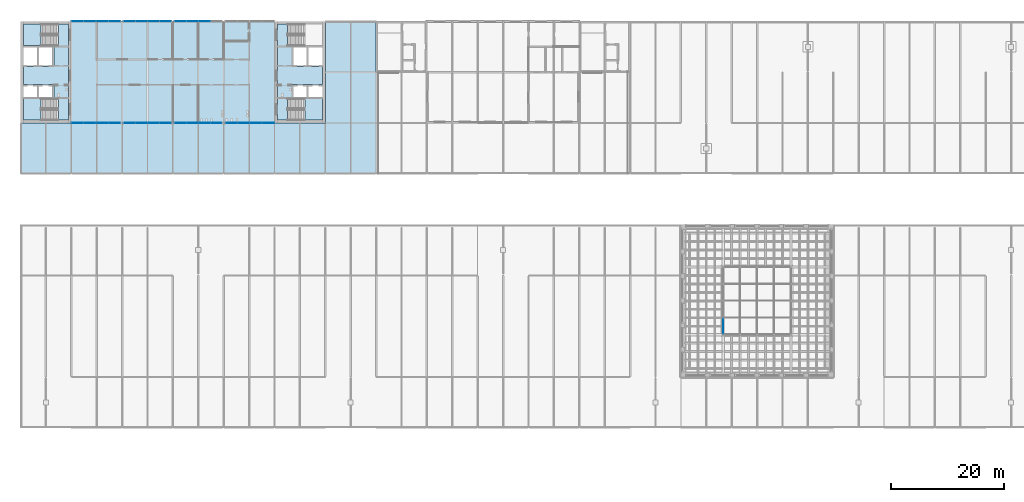
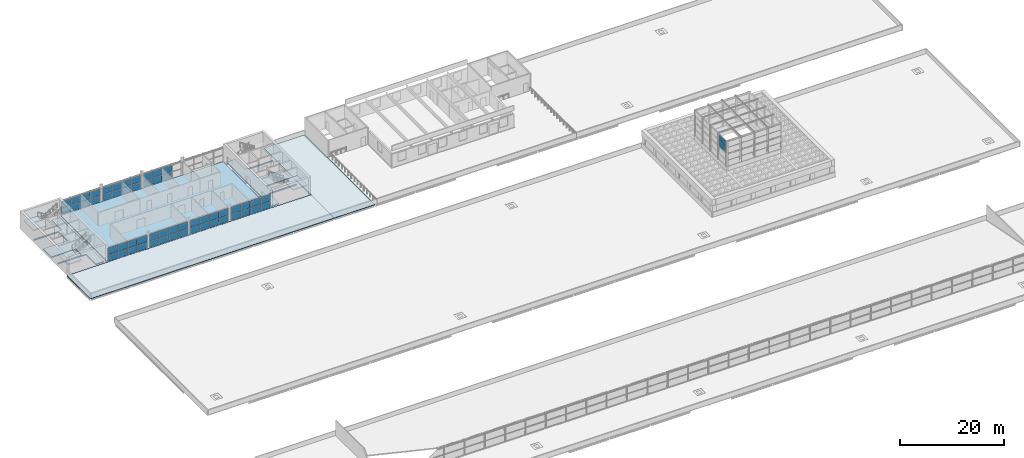
# One storey, part 39 of 50: 56 plates, 8 slabs, 11 elements without a shape of their own.
"""IFC4 building model written with IfcOpenShell, lengths in metres."""

from ifc_helpers import new_model, si_unit, direction, frame, origin, origin_2d, place, context, subcontext, project, spatial, polyline, rectangle, outline, extrude, material, layer, layer_set, type_object, element, aggregate, save


model = new_model("IFC4")

# Units and contexts
model_context = context("Model", 3, precision=1e-05, world=origin(), true_north=direction((0.0, 1.0)))
body_context = subcontext(model_context, "Body", "Model", "MODEL_VIEW")
ifc_project = project(units=[si_unit("LENGTHUNIT", "METRE"), si_unit("AREAUNIT", "SQUARE_METRE"), si_unit("VOLUMEUNIT", "CUBIC_METRE"), si_unit("PLANEANGLEUNIT", "RADIAN"), si_unit("MASSUNIT", "GRAM", prefix="KILO")], contexts=[model_context])

# Site, building, storey
site_placement = place(None, origin())
site = spatial("IfcSite", under=ifc_project, at=site_placement, CompositionType="ELEMENT")
building_placement = place(site_placement, origin())
building = spatial("IfcBuilding", under=site, at=building_placement, Name="Corbel Yard City Hall", CompositionType="ELEMENT")
storey_placement = place(building_placement, frame((0.0, 0.0, 15.0)))
storey = spatial("IfcBuildingStorey", under=building, at=storey_placement, Name="L03", CompositionType="ELEMENT", Elevation=15.0)

# Slabs
ifc_material_1 = material(Name="Concrete N40 (40 MPa)", Category="concrete")
ifc_layer_1 = layer(ifc_material_1, 0.25)
ifc_layer_set_1 = layer_set([ifc_layer_1], Name="Concrete N40 (40 MPa)")
slab_type_1 = type_object("IfcSlabType", Name="CF1", PredefinedType="FLOOR", material=ifc_layer_set_1)
slab_1_placement = place(storey_placement, frame((0.0, 0.0, -0.25)))
element("IfcSlab", 1, at=slab_1_placement, inside=storey, type_object=slab_type_1, Name="Core floor slab", PredefinedType="FLOOR", context=body_context, shape_type="SweptSolid", body=[
    extrude(outline(polyline([(8.5, 116.5), (6.698974609375, 116.5), (6.698974609375, 112.699951171875), (0.5, 112.699951171875), (0.5, 112.449951171875), (5.89990234375, 112.449951171875), (5.89990234375, 109.0), (0.5, 109.0), (0.5, 105.800048828125), (5.89990234375, 105.800048828125), (5.89990234375, 103.550048828125), (0.5, 103.550048828125), (0.5, 103.300048828125), (6.698974609375, 103.300048828125), (6.698974609375, 99.5), (8.5, 99.5), (8.5, 116.5)])), origin(), (0.0, 0.0, 1.0), 0.25),
])
slab_2_placement = place(storey_placement, frame((0.0, 0.0, -0.25)))
element("IfcSlab", 2, at=slab_2_placement, inside=storey, type_object=slab_type_1, Name="Core floor slab", PredefinedType="FLOOR", context=body_context, shape_type="SweptSolid", body=[
    extrude(outline(polyline([(53.5, 103.300048828125), (53.5, 103.550048828125), (48.10009765625, 103.550048828125), (48.10009765625, 105.800048828125), (53.5, 105.800048828125), (53.5, 109.0), (48.10009765625, 109.0), (48.10009765625, 112.449951171875), (53.5, 112.449951171875), (53.5, 112.699951171875), (47.301025390625, 112.699951171875), (47.301025390625, 116.5), (45.5, 116.5), (45.5, 99.5), (47.301025390625, 99.5), (47.301025390625, 103.300048828125), (53.5, 103.300048828125)])), origin(), (0.0, 0.0, 1.0), 0.25),
])
ifc_layer_2 = layer(ifc_material_1, 0.14990234375)
ifc_layer_set_2 = layer_set([ifc_layer_2], Name="Concrete N40 (40 MPa)")
slab_type_2 = type_object("IfcSlabType", Name="Floor slab 150", PredefinedType="FLOOR", material=ifc_layer_set_2)
slab_3_placement = place(storey_placement, frame((0.0, 0.0, -0.14990234375)))
element("IfcSlab", 3, at=slab_3_placement, inside=storey, type_object=slab_type_2, Name="Tower floor slab L03", PredefinedType="FLOOR", context=body_context, shape_type="SweptSolid", body=[
    extrude(outline(polyline([(45.0, 99.0), (45.0, 117.0), (9.0, 117.0), (9.0, 99.0), (45.0, 99.0)])), origin(), (0.0, 0.0, 1.0), 0.14990234375),
])

# Stair, slab
stair_type = type_object("IfcStairType", Name="ST3", PredefinedType="HALF_TURN_STAIR", material=ifc_material_1)
stair_1_placement = place(storey_placement, origin())
stair_1 = element("IfcStair", 4, at=stair_1_placement, inside=storey, type_object=stair_type, Name="Exit stair ST-W1 L03", PredefinedType="HALF_TURN_STAIR")
ifc_layer_3 = layer(ifc_material_1, 0.199951171875)
ifc_layer_set_3 = layer_set([ifc_layer_3], Name="Concrete N40 (40 MPa)")
slab_type_3 = type_object("IfcSlabType", Name="LN1", PredefinedType="LANDING", material=ifc_layer_set_3)
slab_4_placement = place(storey_placement, frame((0.0, 0.0, 1.89990234375)))
slab_4 = element("IfcSlab", 5, at=slab_4_placement, type_object=slab_type_3, Name="ST-W1 landing 1", PredefinedType="LANDING", context=body_context, shape_type="SweptSolid", body=[
    extrude(outline(polyline([(0.5, 99.5), (3.6201171875, 99.5), (3.6201171875, 103.300048828125), (0.5, 103.300048828125), (0.5, 99.5)])), origin(), (0.0, 0.0, 1.0), 0.2001953125),
])
aggregate(stair_1, [slab_4])

stair_2_placement = place(storey_placement, origin())
stair_2 = element("IfcStair", 6, at=stair_2_placement, inside=storey, type_object=stair_type, Name="Exit stair ST-W2 L03", PredefinedType="HALF_TURN_STAIR")
slab_5_placement = place(storey_placement, frame((0.0, 0.0, 1.89990234375)))
slab_5 = element("IfcSlab", 7, at=slab_5_placement, type_object=slab_type_3, Name="ST-W2 landing 1", PredefinedType="LANDING", context=body_context, shape_type="SweptSolid", body=[
    extrude(outline(polyline([(0.5, 112.699951171875), (3.6201171875, 112.699951171875), (3.6201171875, 116.5), (0.5, 116.5), (0.5, 112.699951171875)])), origin(), (0.0, 0.0, 1.0), 0.2001953125),
])
aggregate(stair_2, [slab_5])

stair_3_placement = place(storey_placement, origin())
stair_3 = element("IfcStair", 8, at=stair_3_placement, inside=storey, type_object=stair_type, Name="Exit stair ST-E1 L03", PredefinedType="HALF_TURN_STAIR")
slab_6_placement = place(storey_placement, frame((0.0, 0.0, 1.89990234375)))
slab_6 = element("IfcSlab", 9, at=slab_6_placement, type_object=slab_type_3, Name="ST-E1 landing 1", PredefinedType="LANDING", context=body_context, shape_type="SweptSolid", body=[
    extrude(outline(polyline([(50.3798828125, 99.5), (53.5, 99.5), (53.5, 103.300048828125), (50.3798828125, 103.300048828125), (50.3798828125, 99.5)])), origin(), (0.0, 0.0, 1.0), 0.2001953125),
])
aggregate(stair_3, [slab_6])

# Curtain wall, plates
ifc_material_2 = material(Name="Aluminium extrusion", Category="aluminium")
ifc_layer_4 = layer(ifc_material_2, 0.14990234375)
ifc_layer_set_4 = layer_set([ifc_layer_4], Name="Aluminium extrusion")
curtain_wall_type_1 = type_object("IfcCurtainWallType", Name="CW2", PredefinedType="USERDEFINED", material=ifc_layer_set_4)
curtain_wall_1_placement = place(storey_placement, origin())
curtain_wall_1 = element("IfcCurtainWall", 10, at=curtain_wall_1_placement, inside=storey, type_object=curtain_wall_type_1, Name="Curtain wall CW2 L03", ObjectType="CURTAIN WALL", PredefinedType="USERDEFINED")
ifc_material_3 = material(Name="Double glazed low-e glass unit", Category="glass")
ifc_layer_5 = layer(ifc_material_3, 0.028076171875)
ifc_layer_set_5 = layer_set([ifc_layer_5], Name="Double glazed low-e glass unit")
plate_type_1 = type_object("IfcPlateType", Name="PN2", PredefinedType="CURTAIN_PANEL", material=ifc_layer_set_5)
plate_1_placement = place(storey_placement, frame((10.109130859375, 99.0, 0.06494140625), z_axis=(0.0, 0.0, 1.0), x_axis=(1.0, 0.0, 0.0)))
plate_1 = element("IfcPlate", 11, at=plate_1_placement, type_object=plate_type_1, Name="CW2 panel 1.1", PredefinedType="CURTAIN_PANEL", context=body_context, shape_type="SweptSolid", body=[
    extrude(rectangle(XDim=2.088134765625, YDim=0.028076171875, at=origin_2d()), origin(), (0.0, 0.0, 1.0), 1.5224609375),
])
plate_2_placement = place(storey_placement, frame((10.109130859375, 99.0, 1.652587890625), z_axis=(0.0, 0.0, 1.0), x_axis=(1.0, 0.0, 0.0)))
plate_2 = element("IfcPlate", 12, at=plate_2_placement, type_object=plate_type_1, Name="CW2 panel 1.2", PredefinedType="CURTAIN_PANEL", context=body_context, shape_type="SweptSolid", body=[
    extrude(rectangle(XDim=2.088134765625, YDim=0.028076171875, at=origin_2d()), origin(), (0.0, 0.0, 1.0), 1.5224609375),
])
plate_3_placement = place(storey_placement, frame((12.278564453125, 99.0, 0.06494140625), z_axis=(0.0, 0.0, 1.0), x_axis=(1.0, 0.0, 0.0)))
plate_3 = element("IfcPlate", 13, at=plate_3_placement, type_object=plate_type_1, Name="CW2 panel 2.1", PredefinedType="CURTAIN_PANEL", context=body_context, shape_type="SweptSolid", body=[
    extrude(rectangle(XDim=2.120849609375, YDim=0.028076171875, at=origin_2d()), origin(), (0.0, 0.0, 1.0), 1.5224609375),
])
plate_4_placement = place(storey_placement, frame((12.278564453125, 99.0, 1.652587890625), z_axis=(0.0, 0.0, 1.0), x_axis=(1.0, 0.0, 0.0)))
plate_4 = element("IfcPlate", 14, at=plate_4_placement, type_object=plate_type_1, Name="CW2 panel 2.2", PredefinedType="CURTAIN_PANEL", context=body_context, shape_type="SweptSolid", body=[
    extrude(rectangle(XDim=2.120849609375, YDim=0.028076171875, at=origin_2d()), origin(), (0.0, 0.0, 1.0), 1.5224609375),
])
plate_5_placement = place(storey_placement, frame((14.46435546875, 99.0, 0.06494140625), z_axis=(0.0, 0.0, 1.0), x_axis=(1.0, 0.0, 0.0)))
plate_5 = element("IfcPlate", 15, at=plate_5_placement, type_object=plate_type_1, Name="CW2 panel 3.1", PredefinedType="CURTAIN_PANEL", context=body_context, shape_type="SweptSolid", body=[
    extrude(rectangle(XDim=2.120849609375, YDim=0.028076171875, at=origin_2d()), origin(), (0.0, 0.0, 1.0), 1.5224609375),
])
plate_6_placement = place(storey_placement, frame((14.46435546875, 99.0, 1.652587890625), z_axis=(0.0, 0.0, 1.0), x_axis=(1.0, 0.0, 0.0)))
plate_6 = element("IfcPlate", 16, at=plate_6_placement, type_object=plate_type_1, Name="CW2 panel 3.2", PredefinedType="CURTAIN_PANEL", context=body_context, shape_type="SweptSolid", body=[
    extrude(rectangle(XDim=2.120849609375, YDim=0.028076171875, at=origin_2d()), origin(), (0.0, 0.0, 1.0), 1.5224609375),
])
plate_7_placement = place(storey_placement, frame((16.6337890625, 99.0, 0.06494140625), z_axis=(0.0, 0.0, 1.0), x_axis=(1.0, 0.0, 0.0)))
plate_7 = element("IfcPlate", 17, at=plate_7_placement, type_object=plate_type_1, Name="CW2 panel 4.1", PredefinedType="CURTAIN_PANEL", context=body_context, shape_type="SweptSolid", body=[
    extrude(rectangle(XDim=2.088134765625, YDim=0.028076171875, at=origin_2d()), origin(), (0.0, 0.0, 1.0), 1.5224609375),
])
plate_8_placement = place(storey_placement, frame((16.6337890625, 99.0, 1.652587890625), z_axis=(0.0, 0.0, 1.0), x_axis=(1.0, 0.0, 0.0)))
plate_8 = element("IfcPlate", 18, at=plate_8_placement, type_object=plate_type_1, Name="CW2 panel 4.2", PredefinedType="CURTAIN_PANEL", context=body_context, shape_type="SweptSolid", body=[
    extrude(rectangle(XDim=2.088134765625, YDim=0.028076171875, at=origin_2d()), origin(), (0.0, 0.0, 1.0), 1.5224609375),
])
aggregate(curtain_wall_1, [plate_1, plate_2, plate_3, plate_4, plate_5, plate_6, plate_7, plate_8])

curtain_wall_2_placement = place(storey_placement, origin())
curtain_wall_2 = element("IfcCurtainWall", 19, at=curtain_wall_2_placement, inside=storey, type_object=curtain_wall_type_1, Name="Curtain wall CW2 L03", ObjectType="CURTAIN WALL", PredefinedType="USERDEFINED")
plate_9_placement = place(storey_placement, frame((19.333984375, 99.0, 0.06494140625), z_axis=(0.0, 0.0, 1.0), x_axis=(1.0, 0.0, 0.0)))
plate_9 = element("IfcPlate", 20, at=plate_9_placement, type_object=plate_type_1, Name="CW2 panel 1.1", PredefinedType="CURTAIN_PANEL", context=body_context, shape_type="SweptSolid", body=[
    extrude(rectangle(XDim=2.02392578125, YDim=0.028076171875, at=origin_2d()), origin(), (0.0, 0.0, 1.0), 1.5224609375),
])
plate_10_placement = place(storey_placement, frame((19.333984375, 99.0, 1.652587890625), z_axis=(0.0, 0.0, 1.0), x_axis=(1.0, 0.0, 0.0)))
plate_10 = element("IfcPlate", 21, at=plate_10_placement, type_object=plate_type_1, Name="CW2 panel 1.2", PredefinedType="CURTAIN_PANEL", context=body_context, shape_type="SweptSolid", body=[
    extrude(rectangle(XDim=2.02392578125, YDim=0.028076171875, at=origin_2d()), origin(), (0.0, 0.0, 1.0), 1.5224609375),
])
plate_11_placement = place(storey_placement, frame((21.439208984375, 99.0, 0.06494140625), z_axis=(0.0, 0.0, 1.0), x_axis=(1.0, 0.0, 0.0)))
plate_11 = element("IfcPlate", 22, at=plate_11_placement, type_object=plate_type_1, Name="CW2 panel 2.1", PredefinedType="CURTAIN_PANEL", context=body_context, shape_type="SweptSolid", body=[
    extrude(rectangle(XDim=2.056396484375, YDim=0.028076171875, at=origin_2d()), origin(), (0.0, 0.0, 1.0), 1.5224609375),
])
plate_12_placement = place(storey_placement, frame((21.439208984375, 99.0, 1.652587890625), z_axis=(0.0, 0.0, 1.0), x_axis=(1.0, 0.0, 0.0)))
plate_12 = element("IfcPlate", 23, at=plate_12_placement, type_object=plate_type_1, Name="CW2 panel 2.2", PredefinedType="CURTAIN_PANEL", context=body_context, shape_type="SweptSolid", body=[
    extrude(rectangle(XDim=2.056396484375, YDim=0.028076171875, at=origin_2d()), origin(), (0.0, 0.0, 1.0), 1.5224609375),
])
plate_13_placement = place(storey_placement, frame((23.560791015625, 99.0, 0.06494140625), z_axis=(0.0, 0.0, 1.0), x_axis=(1.0, 0.0, 0.0)))
plate_13 = element("IfcPlate", 24, at=plate_13_placement, type_object=plate_type_1, Name="CW2 panel 3.1", PredefinedType="CURTAIN_PANEL", context=body_context, shape_type="SweptSolid", body=[
    extrude(rectangle(XDim=2.056396484375, YDim=0.028076171875, at=origin_2d()), origin(), (0.0, 0.0, 1.0), 1.5224609375),
])
plate_14_placement = place(storey_placement, frame((23.560791015625, 99.0, 1.652587890625), z_axis=(0.0, 0.0, 1.0), x_axis=(1.0, 0.0, 0.0)))
plate_14 = element("IfcPlate", 25, at=plate_14_placement, type_object=plate_type_1, Name="CW2 panel 3.2", PredefinedType="CURTAIN_PANEL", context=body_context, shape_type="SweptSolid", body=[
    extrude(rectangle(XDim=2.056396484375, YDim=0.028076171875, at=origin_2d()), origin(), (0.0, 0.0, 1.0), 1.5224609375),
])
plate_15_placement = place(storey_placement, frame((25.666015625, 99.0, 0.06494140625), z_axis=(0.0, 0.0, 1.0), x_axis=(1.0, 0.0, 0.0)))
plate_15 = element("IfcPlate", 26, at=plate_15_placement, type_object=plate_type_1, Name="CW2 panel 4.1", PredefinedType="CURTAIN_PANEL", context=body_context, shape_type="SweptSolid", body=[
    extrude(rectangle(XDim=2.02392578125, YDim=0.028076171875, at=origin_2d()), origin(), (0.0, 0.0, 1.0), 1.5224609375),
])
plate_16_placement = place(storey_placement, frame((25.666015625, 99.0, 1.652587890625), z_axis=(0.0, 0.0, 1.0), x_axis=(1.0, 0.0, 0.0)))
plate_16 = element("IfcPlate", 27, at=plate_16_placement, type_object=plate_type_1, Name="CW2 panel 4.2", PredefinedType="CURTAIN_PANEL", context=body_context, shape_type="SweptSolid", body=[
    extrude(rectangle(XDim=2.02392578125, YDim=0.028076171875, at=origin_2d()), origin(), (0.0, 0.0, 1.0), 1.5224609375),
])
aggregate(curtain_wall_2, [plate_9, plate_10, plate_11, plate_12, plate_13, plate_14, plate_15, plate_16])

curtain_wall_3_placement = place(storey_placement, origin())
curtain_wall_3 = element("IfcCurtainWall", 28, at=curtain_wall_3_placement, inside=storey, type_object=curtain_wall_type_1, Name="Curtain wall CW2 L03", ObjectType="CURTAIN WALL", PredefinedType="USERDEFINED")
plate_17_placement = place(storey_placement, frame((28.333984375, 99.0, 0.06494140625), z_axis=(0.0, 0.0, 1.0), x_axis=(1.0, 0.0, 0.0)))
plate_17 = element("IfcPlate", 29, at=plate_17_placement, type_object=plate_type_1, Name="CW2 panel 1.1", PredefinedType="CURTAIN_PANEL", context=body_context, shape_type="SweptSolid", body=[
    extrude(rectangle(XDim=2.02392578125, YDim=0.028076171875, at=origin_2d()), origin(), (0.0, 0.0, 1.0), 1.5224609375),
])
plate_18_placement = place(storey_placement, frame((28.333984375, 99.0, 1.652587890625), z_axis=(0.0, 0.0, 1.0), x_axis=(1.0, 0.0, 0.0)))
plate_18 = element("IfcPlate", 30, at=plate_18_placement, type_object=plate_type_1, Name="CW2 panel 1.2", PredefinedType="CURTAIN_PANEL", context=body_context, shape_type="SweptSolid", body=[
    extrude(rectangle(XDim=2.02392578125, YDim=0.028076171875, at=origin_2d()), origin(), (0.0, 0.0, 1.0), 1.5224609375),
])
plate_19_placement = place(storey_placement, frame((30.439208984375, 99.0, 0.06494140625), z_axis=(0.0, 0.0, 1.0), x_axis=(1.0, 0.0, 0.0)))
plate_19 = element("IfcPlate", 31, at=plate_19_placement, type_object=plate_type_1, Name="CW2 panel 2.1", PredefinedType="CURTAIN_PANEL", context=body_context, shape_type="SweptSolid", body=[
    extrude(rectangle(XDim=2.056396484375, YDim=0.028076171875, at=origin_2d()), origin(), (0.0, 0.0, 1.0), 1.5224609375),
])
plate_20_placement = place(storey_placement, frame((30.439208984375, 99.0, 1.652587890625), z_axis=(0.0, 0.0, 1.0), x_axis=(1.0, 0.0, 0.0)))
plate_20 = element("IfcPlate", 32, at=plate_20_placement, type_object=plate_type_1, Name="CW2 panel 2.2", PredefinedType="CURTAIN_PANEL", context=body_context, shape_type="SweptSolid", body=[
    extrude(rectangle(XDim=2.056396484375, YDim=0.028076171875, at=origin_2d()), origin(), (0.0, 0.0, 1.0), 1.5224609375),
])
plate_21_placement = place(storey_placement, frame((32.560791015625, 99.0, 0.06494140625), z_axis=(0.0, 0.0, 1.0), x_axis=(1.0, 0.0, 0.0)))
plate_21 = element("IfcPlate", 33, at=plate_21_placement, type_object=plate_type_1, Name="CW2 panel 3.1", PredefinedType="CURTAIN_PANEL", context=body_context, shape_type="SweptSolid", body=[
    extrude(rectangle(XDim=2.056396484375, YDim=0.028076171875, at=origin_2d()), origin(), (0.0, 0.0, 1.0), 1.5224609375),
])
plate_22_placement = place(storey_placement, frame((32.560791015625, 99.0, 1.652587890625), z_axis=(0.0, 0.0, 1.0), x_axis=(1.0, 0.0, 0.0)))
plate_22 = element("IfcPlate", 34, at=plate_22_placement, type_object=plate_type_1, Name="CW2 panel 3.2", PredefinedType="CURTAIN_PANEL", context=body_context, shape_type="SweptSolid", body=[
    extrude(rectangle(XDim=2.056396484375, YDim=0.028076171875, at=origin_2d()), origin(), (0.0, 0.0, 1.0), 1.5224609375),
])
plate_23_placement = place(storey_placement, frame((34.666015625, 99.0, 0.06494140625), z_axis=(0.0, 0.0, 1.0), x_axis=(1.0, 0.0, 0.0)))
plate_23 = element("IfcPlate", 35, at=plate_23_placement, type_object=plate_type_1, Name="CW2 panel 4.1", PredefinedType="CURTAIN_PANEL", context=body_context, shape_type="SweptSolid", body=[
    extrude(rectangle(XDim=2.02392578125, YDim=0.028076171875, at=origin_2d()), origin(), (0.0, 0.0, 1.0), 1.5224609375),
])
plate_24_placement = place(storey_placement, frame((34.666015625, 99.0, 1.652587890625), z_axis=(0.0, 0.0, 1.0), x_axis=(1.0, 0.0, 0.0)))
plate_24 = element("IfcPlate", 36, at=plate_24_placement, type_object=plate_type_1, Name="CW2 panel 4.2", PredefinedType="CURTAIN_PANEL", context=body_context, shape_type="SweptSolid", body=[
    extrude(rectangle(XDim=2.02392578125, YDim=0.028076171875, at=origin_2d()), origin(), (0.0, 0.0, 1.0), 1.5224609375),
])
aggregate(curtain_wall_3, [plate_17, plate_18, plate_19, plate_20, plate_21, plate_22, plate_23, plate_24])

curtain_wall_4_placement = place(storey_placement, origin())
curtain_wall_4 = element("IfcCurtainWall", 37, at=curtain_wall_4_placement, inside=storey, type_object=curtain_wall_type_1, Name="Curtain wall CW2 L03", ObjectType="CURTAIN WALL", PredefinedType="USERDEFINED")
plate_25_placement = place(storey_placement, frame((37.3662109375, 99.0, 0.06494140625), z_axis=(0.0, 0.0, 1.0), x_axis=(1.0, 0.0, 0.0)))
plate_25 = element("IfcPlate", 38, at=plate_25_placement, type_object=plate_type_1, Name="CW2 panel 1.1", PredefinedType="CURTAIN_PANEL", context=body_context, shape_type="SweptSolid", body=[
    extrude(rectangle(XDim=2.088134765625, YDim=0.028076171875, at=origin_2d()), origin(), (0.0, 0.0, 1.0), 1.5224609375),
])
plate_26_placement = place(storey_placement, frame((37.3662109375, 99.0, 1.652587890625), z_axis=(0.0, 0.0, 1.0), x_axis=(1.0, 0.0, 0.0)))
plate_26 = element("IfcPlate", 39, at=plate_26_placement, type_object=plate_type_1, Name="CW2 panel 1.2", PredefinedType="CURTAIN_PANEL", context=body_context, shape_type="SweptSolid", body=[
    extrude(rectangle(XDim=2.088134765625, YDim=0.028076171875, at=origin_2d()), origin(), (0.0, 0.0, 1.0), 1.5224609375),
])
plate_27_placement = place(storey_placement, frame((39.53564453125, 99.0, 0.06494140625), z_axis=(0.0, 0.0, 1.0), x_axis=(1.0, 0.0, 0.0)))
plate_27 = element("IfcPlate", 40, at=plate_27_placement, type_object=plate_type_1, Name="CW2 panel 2.1", PredefinedType="CURTAIN_PANEL", context=body_context, shape_type="SweptSolid", body=[
    extrude(rectangle(XDim=2.120849609375, YDim=0.028076171875, at=origin_2d()), origin(), (0.0, 0.0, 1.0), 1.5224609375),
])
plate_28_placement = place(storey_placement, frame((39.53564453125, 99.0, 1.652587890625), z_axis=(0.0, 0.0, 1.0), x_axis=(1.0, 0.0, 0.0)))
plate_28 = element("IfcPlate", 41, at=plate_28_placement, type_object=plate_type_1, Name="CW2 panel 2.2", PredefinedType="CURTAIN_PANEL", context=body_context, shape_type="SweptSolid", body=[
    extrude(rectangle(XDim=2.120849609375, YDim=0.028076171875, at=origin_2d()), origin(), (0.0, 0.0, 1.0), 1.5224609375),
])
plate_29_placement = place(storey_placement, frame((41.721435546875, 99.0, 0.06494140625), z_axis=(0.0, 0.0, 1.0), x_axis=(1.0, 0.0, 0.0)))
plate_29 = element("IfcPlate", 42, at=plate_29_placement, type_object=plate_type_1, Name="CW2 panel 3.1", PredefinedType="CURTAIN_PANEL", context=body_context, shape_type="SweptSolid", body=[
    extrude(rectangle(XDim=2.120849609375, YDim=0.028076171875, at=origin_2d()), origin(), (0.0, 0.0, 1.0), 1.5224609375),
])
plate_30_placement = place(storey_placement, frame((41.721435546875, 99.0, 1.652587890625), z_axis=(0.0, 0.0, 1.0), x_axis=(1.0, 0.0, 0.0)))
plate_30 = element("IfcPlate", 43, at=plate_30_placement, type_object=plate_type_1, Name="CW2 panel 3.2", PredefinedType="CURTAIN_PANEL", context=body_context, shape_type="SweptSolid", body=[
    extrude(rectangle(XDim=2.120849609375, YDim=0.028076171875, at=origin_2d()), origin(), (0.0, 0.0, 1.0), 1.5224609375),
])
plate_31_placement = place(storey_placement, frame((43.890869140625, 99.0, 0.06494140625), z_axis=(0.0, 0.0, 1.0), x_axis=(1.0, 0.0, 0.0)))
plate_31 = element("IfcPlate", 44, at=plate_31_placement, type_object=plate_type_1, Name="CW2 panel 4.1", PredefinedType="CURTAIN_PANEL", context=body_context, shape_type="SweptSolid", body=[
    extrude(rectangle(XDim=2.088134765625, YDim=0.028076171875, at=origin_2d()), origin(), (0.0, 0.0, 1.0), 1.5224609375),
])
plate_32_placement = place(storey_placement, frame((43.890869140625, 99.0, 1.652587890625), z_axis=(0.0, 0.0, 1.0), x_axis=(1.0, 0.0, 0.0)))
plate_32 = element("IfcPlate", 45, at=plate_32_placement, type_object=plate_type_1, Name="CW2 panel 4.2", PredefinedType="CURTAIN_PANEL", context=body_context, shape_type="SweptSolid", body=[
    extrude(rectangle(XDim=2.088134765625, YDim=0.028076171875, at=origin_2d()), origin(), (0.0, 0.0, 1.0), 1.5224609375),
])
aggregate(curtain_wall_4, [plate_25, plate_26, plate_27, plate_28, plate_29, plate_30, plate_31, plate_32])

curtain_wall_5_placement = place(storey_placement, origin())
curtain_wall_5 = element("IfcCurtainWall", 46, at=curtain_wall_5_placement, inside=storey, type_object=curtain_wall_type_1, Name="Curtain wall CW2 L03", ObjectType="CURTAIN WALL", PredefinedType="USERDEFINED")
plate_33_placement = place(storey_placement, frame((10.109130859375, 117.0, 0.06494140625), z_axis=(0.0, 0.0, 1.0), x_axis=(1.0, 0.0, 0.0)))
plate_33 = element("IfcPlate", 47, at=plate_33_placement, type_object=plate_type_1, Name="CW2 panel 1.1", PredefinedType="CURTAIN_PANEL", context=body_context, shape_type="SweptSolid", body=[
    extrude(rectangle(XDim=2.088134765625, YDim=0.028076171875, at=origin_2d()), origin(), (0.0, 0.0, 1.0), 1.5224609375),
])
plate_34_placement = place(storey_placement, frame((10.109130859375, 117.0, 1.652587890625), z_axis=(0.0, 0.0, 1.0), x_axis=(1.0, 0.0, 0.0)))
plate_34 = element("IfcPlate", 48, at=plate_34_placement, type_object=plate_type_1, Name="CW2 panel 1.2", PredefinedType="CURTAIN_PANEL", context=body_context, shape_type="SweptSolid", body=[
    extrude(rectangle(XDim=2.088134765625, YDim=0.028076171875, at=origin_2d()), origin(), (0.0, 0.0, 1.0), 1.5224609375),
])
plate_35_placement = place(storey_placement, frame((12.278564453125, 117.0, 0.06494140625), z_axis=(0.0, 0.0, 1.0), x_axis=(1.0, 0.0, 0.0)))
plate_35 = element("IfcPlate", 49, at=plate_35_placement, type_object=plate_type_1, Name="CW2 panel 2.1", PredefinedType="CURTAIN_PANEL", context=body_context, shape_type="SweptSolid", body=[
    extrude(rectangle(XDim=2.120849609375, YDim=0.028076171875, at=origin_2d()), origin(), (0.0, 0.0, 1.0), 1.5224609375),
])
plate_36_placement = place(storey_placement, frame((12.278564453125, 117.0, 1.652587890625), z_axis=(0.0, 0.0, 1.0), x_axis=(1.0, 0.0, 0.0)))
plate_36 = element("IfcPlate", 50, at=plate_36_placement, type_object=plate_type_1, Name="CW2 panel 2.2", PredefinedType="CURTAIN_PANEL", context=body_context, shape_type="SweptSolid", body=[
    extrude(rectangle(XDim=2.120849609375, YDim=0.028076171875, at=origin_2d()), origin(), (0.0, 0.0, 1.0), 1.5224609375),
])
plate_37_placement = place(storey_placement, frame((14.46435546875, 117.0, 0.06494140625), z_axis=(0.0, 0.0, 1.0), x_axis=(1.0, 0.0, 0.0)))
plate_37 = element("IfcPlate", 51, at=plate_37_placement, type_object=plate_type_1, Name="CW2 panel 3.1", PredefinedType="CURTAIN_PANEL", context=body_context, shape_type="SweptSolid", body=[
    extrude(rectangle(XDim=2.120849609375, YDim=0.028076171875, at=origin_2d()), origin(), (0.0, 0.0, 1.0), 1.5224609375),
])
plate_38_placement = place(storey_placement, frame((14.46435546875, 117.0, 1.652587890625), z_axis=(0.0, 0.0, 1.0), x_axis=(1.0, 0.0, 0.0)))
plate_38 = element("IfcPlate", 52, at=plate_38_placement, type_object=plate_type_1, Name="CW2 panel 3.2", PredefinedType="CURTAIN_PANEL", context=body_context, shape_type="SweptSolid", body=[
    extrude(rectangle(XDim=2.120849609375, YDim=0.028076171875, at=origin_2d()), origin(), (0.0, 0.0, 1.0), 1.5224609375),
])
plate_39_placement = place(storey_placement, frame((16.6337890625, 117.0, 0.06494140625), z_axis=(0.0, 0.0, 1.0), x_axis=(1.0, 0.0, 0.0)))
plate_39 = element("IfcPlate", 53, at=plate_39_placement, type_object=plate_type_1, Name="CW2 panel 4.1", PredefinedType="CURTAIN_PANEL", context=body_context, shape_type="SweptSolid", body=[
    extrude(rectangle(XDim=2.088134765625, YDim=0.028076171875, at=origin_2d()), origin(), (0.0, 0.0, 1.0), 1.5224609375),
])
plate_40_placement = place(storey_placement, frame((16.6337890625, 117.0, 1.652587890625), z_axis=(0.0, 0.0, 1.0), x_axis=(1.0, 0.0, 0.0)))
plate_40 = element("IfcPlate", 54, at=plate_40_placement, type_object=plate_type_1, Name="CW2 panel 4.2", PredefinedType="CURTAIN_PANEL", context=body_context, shape_type="SweptSolid", body=[
    extrude(rectangle(XDim=2.088134765625, YDim=0.028076171875, at=origin_2d()), origin(), (0.0, 0.0, 1.0), 1.5224609375),
])
aggregate(curtain_wall_5, [plate_33, plate_34, plate_35, plate_36, plate_37, plate_38, plate_39, plate_40])

curtain_wall_6_placement = place(storey_placement, origin())
curtain_wall_6 = element("IfcCurtainWall", 55, at=curtain_wall_6_placement, inside=storey, type_object=curtain_wall_type_1, Name="Curtain wall CW2 L03", ObjectType="CURTAIN WALL", PredefinedType="USERDEFINED")
plate_41_placement = place(storey_placement, frame((19.333984375, 117.0, 0.06494140625), z_axis=(0.0, 0.0, 1.0), x_axis=(1.0, 0.0, 0.0)))
plate_41 = element("IfcPlate", 56, at=plate_41_placement, type_object=plate_type_1, Name="CW2 panel 1.1", PredefinedType="CURTAIN_PANEL", context=body_context, shape_type="SweptSolid", body=[
    extrude(rectangle(XDim=2.02392578125, YDim=0.028076171875, at=origin_2d()), origin(), (0.0, 0.0, 1.0), 1.5224609375),
])
plate_42_placement = place(storey_placement, frame((19.333984375, 117.0, 1.652587890625), z_axis=(0.0, 0.0, 1.0), x_axis=(1.0, 0.0, 0.0)))
plate_42 = element("IfcPlate", 57, at=plate_42_placement, type_object=plate_type_1, Name="CW2 panel 1.2", PredefinedType="CURTAIN_PANEL", context=body_context, shape_type="SweptSolid", body=[
    extrude(rectangle(XDim=2.02392578125, YDim=0.028076171875, at=origin_2d()), origin(), (0.0, 0.0, 1.0), 1.5224609375),
])
plate_43_placement = place(storey_placement, frame((21.439208984375, 117.0, 0.06494140625), z_axis=(0.0, 0.0, 1.0), x_axis=(1.0, 0.0, 0.0)))
plate_43 = element("IfcPlate", 58, at=plate_43_placement, type_object=plate_type_1, Name="CW2 panel 2.1", PredefinedType="CURTAIN_PANEL", context=body_context, shape_type="SweptSolid", body=[
    extrude(rectangle(XDim=2.056396484375, YDim=0.028076171875, at=origin_2d()), origin(), (0.0, 0.0, 1.0), 1.5224609375),
])
plate_44_placement = place(storey_placement, frame((21.439208984375, 117.0, 1.652587890625), z_axis=(0.0, 0.0, 1.0), x_axis=(1.0, 0.0, 0.0)))
plate_44 = element("IfcPlate", 59, at=plate_44_placement, type_object=plate_type_1, Name="CW2 panel 2.2", PredefinedType="CURTAIN_PANEL", context=body_context, shape_type="SweptSolid", body=[
    extrude(rectangle(XDim=2.056396484375, YDim=0.028076171875, at=origin_2d()), origin(), (0.0, 0.0, 1.0), 1.5224609375),
])
plate_45_placement = place(storey_placement, frame((23.560791015625, 117.0, 0.06494140625), z_axis=(0.0, 0.0, 1.0), x_axis=(1.0, 0.0, 0.0)))
plate_45 = element("IfcPlate", 60, at=plate_45_placement, type_object=plate_type_1, Name="CW2 panel 3.1", PredefinedType="CURTAIN_PANEL", context=body_context, shape_type="SweptSolid", body=[
    extrude(rectangle(XDim=2.056396484375, YDim=0.028076171875, at=origin_2d()), origin(), (0.0, 0.0, 1.0), 1.5224609375),
])
plate_46_placement = place(storey_placement, frame((23.560791015625, 117.0, 1.652587890625), z_axis=(0.0, 0.0, 1.0), x_axis=(1.0, 0.0, 0.0)))
plate_46 = element("IfcPlate", 61, at=plate_46_placement, type_object=plate_type_1, Name="CW2 panel 3.2", PredefinedType="CURTAIN_PANEL", context=body_context, shape_type="SweptSolid", body=[
    extrude(rectangle(XDim=2.056396484375, YDim=0.028076171875, at=origin_2d()), origin(), (0.0, 0.0, 1.0), 1.5224609375),
])
plate_47_placement = place(storey_placement, frame((25.666015625, 117.0, 0.06494140625), z_axis=(0.0, 0.0, 1.0), x_axis=(1.0, 0.0, 0.0)))
plate_47 = element("IfcPlate", 62, at=plate_47_placement, type_object=plate_type_1, Name="CW2 panel 4.1", PredefinedType="CURTAIN_PANEL", context=body_context, shape_type="SweptSolid", body=[
    extrude(rectangle(XDim=2.02392578125, YDim=0.028076171875, at=origin_2d()), origin(), (0.0, 0.0, 1.0), 1.5224609375),
])
plate_48_placement = place(storey_placement, frame((25.666015625, 117.0, 1.652587890625), z_axis=(0.0, 0.0, 1.0), x_axis=(1.0, 0.0, 0.0)))
plate_48 = element("IfcPlate", 63, at=plate_48_placement, type_object=plate_type_1, Name="CW2 panel 4.2", PredefinedType="CURTAIN_PANEL", context=body_context, shape_type="SweptSolid", body=[
    extrude(rectangle(XDim=2.02392578125, YDim=0.028076171875, at=origin_2d()), origin(), (0.0, 0.0, 1.0), 1.5224609375),
])
aggregate(curtain_wall_6, [plate_41, plate_42, plate_43, plate_44, plate_45, plate_46, plate_47, plate_48])

curtain_wall_7_placement = place(storey_placement, origin())
curtain_wall_7 = element("IfcCurtainWall", 64, at=curtain_wall_7_placement, inside=storey, type_object=curtain_wall_type_1, Name="Curtain wall CW2 L03", ObjectType="CURTAIN WALL", PredefinedType="USERDEFINED")
plate_49_placement = place(storey_placement, frame((28.333984375, 117.0, 0.06494140625), z_axis=(0.0, 0.0, 1.0), x_axis=(1.0, 0.0, 0.0)))
plate_49 = element("IfcPlate", 65, at=plate_49_placement, type_object=plate_type_1, Name="CW2 panel 1.1", PredefinedType="CURTAIN_PANEL", context=body_context, shape_type="SweptSolid", body=[
    extrude(rectangle(XDim=2.02392578125, YDim=0.028076171875, at=origin_2d()), origin(), (0.0, 0.0, 1.0), 1.5224609375),
])
plate_50_placement = place(storey_placement, frame((28.333984375, 117.0, 1.652587890625), z_axis=(0.0, 0.0, 1.0), x_axis=(1.0, 0.0, 0.0)))
plate_50 = element("IfcPlate", 66, at=plate_50_placement, type_object=plate_type_1, Name="CW2 panel 1.2", PredefinedType="CURTAIN_PANEL", context=body_context, shape_type="SweptSolid", body=[
    extrude(rectangle(XDim=2.02392578125, YDim=0.028076171875, at=origin_2d()), origin(), (0.0, 0.0, 1.0), 1.5224609375),
])
plate_51_placement = place(storey_placement, frame((30.439208984375, 117.0, 0.06494140625), z_axis=(0.0, 0.0, 1.0), x_axis=(1.0, 0.0, 0.0)))
plate_51 = element("IfcPlate", 67, at=plate_51_placement, type_object=plate_type_1, Name="CW2 panel 2.1", PredefinedType="CURTAIN_PANEL", context=body_context, shape_type="SweptSolid", body=[
    extrude(rectangle(XDim=2.056396484375, YDim=0.028076171875, at=origin_2d()), origin(), (0.0, 0.0, 1.0), 1.5224609375),
])
plate_52_placement = place(storey_placement, frame((30.439208984375, 117.0, 1.652587890625), z_axis=(0.0, 0.0, 1.0), x_axis=(1.0, 0.0, 0.0)))
plate_52 = element("IfcPlate", 68, at=plate_52_placement, type_object=plate_type_1, Name="CW2 panel 2.2", PredefinedType="CURTAIN_PANEL", context=body_context, shape_type="SweptSolid", body=[
    extrude(rectangle(XDim=2.056396484375, YDim=0.028076171875, at=origin_2d()), origin(), (0.0, 0.0, 1.0), 1.5224609375),
])
plate_53_placement = place(storey_placement, frame((32.560791015625, 117.0, 0.06494140625), z_axis=(0.0, 0.0, 1.0), x_axis=(1.0, 0.0, 0.0)))
plate_53 = element("IfcPlate", 69, at=plate_53_placement, type_object=plate_type_1, Name="CW2 panel 3.1", PredefinedType="CURTAIN_PANEL", context=body_context, shape_type="SweptSolid", body=[
    extrude(rectangle(XDim=2.056396484375, YDim=0.028076171875, at=origin_2d()), origin(), (0.0, 0.0, 1.0), 1.5224609375),
])
plate_54_placement = place(storey_placement, frame((32.560791015625, 117.0, 1.652587890625), z_axis=(0.0, 0.0, 1.0), x_axis=(1.0, 0.0, 0.0)))
plate_54 = element("IfcPlate", 70, at=plate_54_placement, type_object=plate_type_1, Name="CW2 panel 3.2", PredefinedType="CURTAIN_PANEL", context=body_context, shape_type="SweptSolid", body=[
    extrude(rectangle(XDim=2.056396484375, YDim=0.028076171875, at=origin_2d()), origin(), (0.0, 0.0, 1.0), 1.5224609375),
])
aggregate(curtain_wall_7, [plate_49, plate_50, plate_51, plate_52, plate_53, plate_54])

ifc_layer_6 = layer(ifc_material_2, 0.1201171875)
ifc_layer_set_6 = layer_set([ifc_layer_6], Name="Aluminium extrusion")
curtain_wall_type_2 = type_object("IfcCurtainWallType", Name="CW3", PredefinedType="USERDEFINED", material=ifc_layer_set_6)
curtain_wall_8_placement = place(storey_placement, origin())
curtain_wall_8 = element("IfcCurtainWall", 71, at=curtain_wall_8_placement, inside=storey, type_object=curtain_wall_type_2, Name="Lantern glazing", ObjectType="CURTAIN WALL", PredefinedType="USERDEFINED")
ifc_material_4 = material(Name="Laminated heat-strengthened glass", Category="glass")
ifc_layer_7 = layer(ifc_material_4, 0.0439453125)
ifc_layer_set_7 = layer_set([ifc_layer_7], Name="Laminated heat-strengthened glass")
plate_type_2 = type_object("IfcPlateType", Name="PN3", PredefinedType="CURTAIN_PANEL", material=ifc_layer_set_7)
plate_55_placement = place(storey_placement, frame((124.5, 63.0, 7.77490234375), z_axis=(0.0, 0.0, 1.0), x_axis=(0.0, 1.0, 0.0)))
plate_55 = element("IfcPlate", 72, at=plate_55_placement, type_object=plate_type_2, Name="CW3 panel 1.1", PredefinedType="CURTAIN_PANEL", context=body_context, shape_type="SweptSolid", body=[
    extrude(rectangle(XDim=2.699951171875, YDim=0.0439453125, at=origin_2d()), origin(), (0.0, 0.0, 1.0), 1.3125),
])
plate_56_placement = place(storey_placement, frame((124.5, 63.0, 9.137451171875), z_axis=(0.0, 0.0, 1.0), x_axis=(0.0, 1.0, 0.0)))
plate_56 = element("IfcPlate", 73, at=plate_56_placement, type_object=plate_type_2, Name="CW3 panel 1.2", PredefinedType="CURTAIN_PANEL", context=body_context, shape_type="SweptSolid", body=[
    extrude(rectangle(XDim=2.699951171875, YDim=0.0439453125, at=origin_2d()), origin(), (0.0, 0.0, 1.0), 1.3125),
])
aggregate(curtain_wall_8, [plate_55, plate_56])

# Slabs
ifc_layer_8 = layer(ifc_material_1, 0.14990234375)
ifc_layer_set_8 = layer_set([ifc_layer_8], Name="Concrete N40 (40 MPa)")
slab_type_4 = type_object("IfcSlabType", Name="Roof deck 150", PredefinedType="ROOF", material=ifc_layer_set_8)
slab_7_placement = place(storey_placement, frame((0.0, 0.0, -0.14990234375)))
element("IfcSlab", 74, at=slab_7_placement, inside=storey, type_object=slab_type_4, Name="Roof deck Tower base", PredefinedType="ROOF", context=body_context, shape_type="SweptSolid", body=[
    extrude(outline(polyline([(54.0, 99.0), (0.0, 99.0), (0.0, 90.0), (54.0, 90.0), (54.0, 99.0)])), origin(), (0.0, 0.0, 1.0), 0.14990234375),
])
slab_8_placement = place(storey_placement, frame((0.0, 0.0, -0.14990234375)))
element("IfcSlab", 75, at=slab_8_placement, inside=storey, type_object=slab_type_4, Name="Roof deck Civic reception and councillors' wing", PredefinedType="ROOF", context=body_context, shape_type="SweptSolid", body=[
    extrude(outline(polyline([(54.0, 90.0), (63.0, 90.0), (63.0, 117.0), (54.0, 117.0), (54.0, 90.0)])), origin(), (0.0, 0.0, 1.0), 0.14990234375),
])

save(model, "model.ifc")
